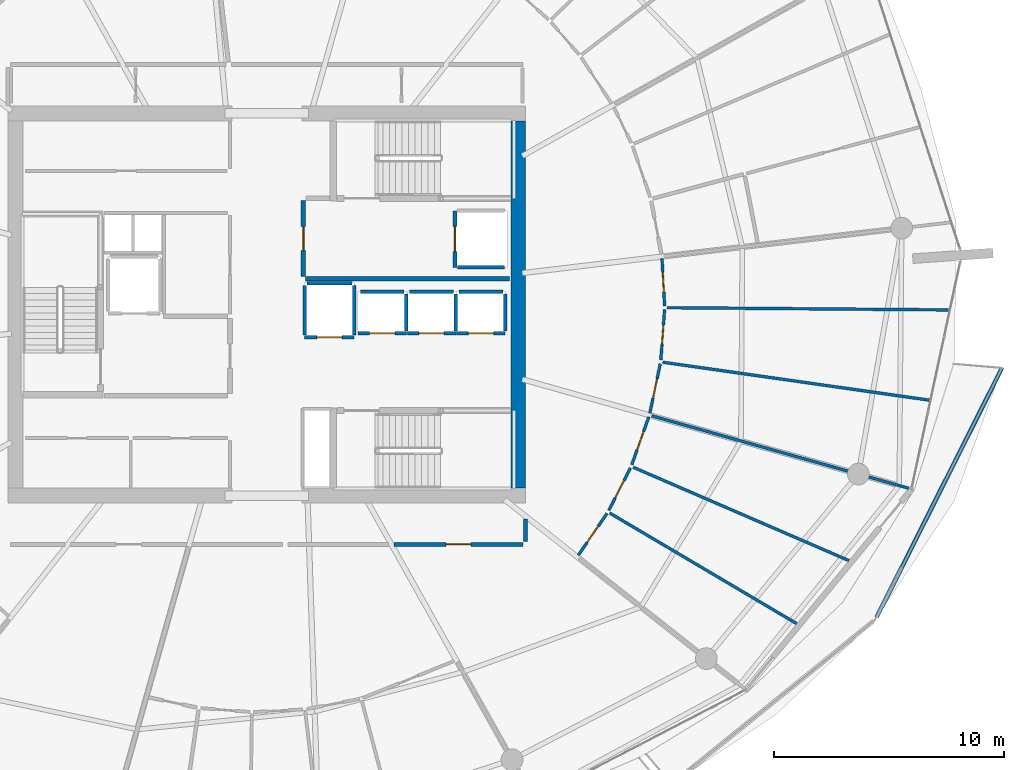
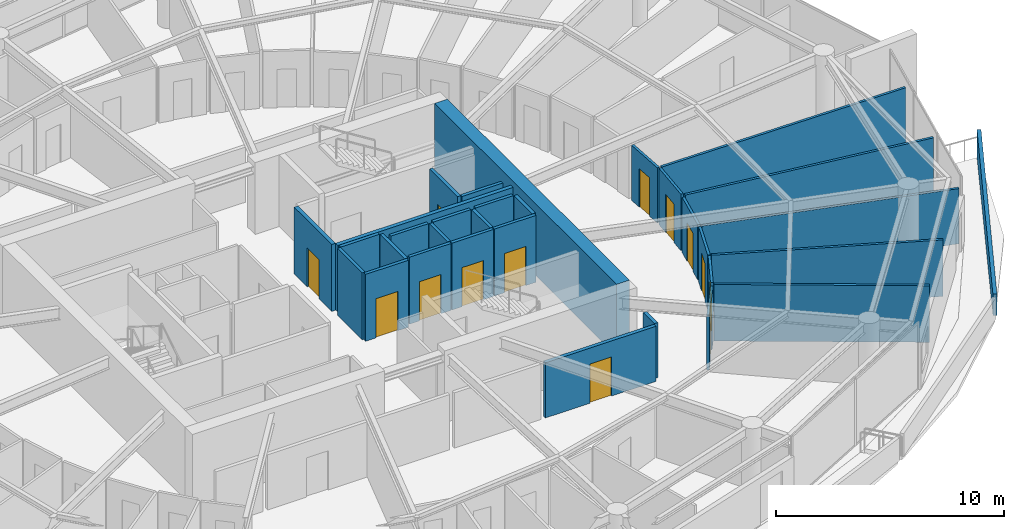
# One storey, part 20 of 30: 32 walls, 13 doors, 13 openings.
"""IFC4 building model written with IfcOpenShell, lengths in metres."""

from ifc_helpers import new_model, si_unit, direction, frame, frame_2d, origin, place, context, subcontext, project, spatial, polyline, rectangle, outline, extrude, material, layer, layer_set, type_object, element, fill, save


model = new_model("IFC4")

# Units and contexts
model_context = context("Model", 3, precision=1e-05, world=origin(), true_north=direction((0.0, 1.0)))
body_context = subcontext(model_context, "Body", "Model", "MODEL_VIEW")
ifc_project = project(units=[si_unit("LENGTHUNIT", "METRE"), si_unit("AREAUNIT", "SQUARE_METRE"), si_unit("VOLUMEUNIT", "CUBIC_METRE"), si_unit("PLANEANGLEUNIT", "RADIAN"), si_unit("MASSUNIT", "GRAM", prefix="KILO")], contexts=[model_context])

# Site, building, storey
site_placement = place(None, origin())
site = spatial("IfcSite", under=ifc_project, at=site_placement, CompositionType="ELEMENT")
building_placement = place(site_placement, origin())
building = spatial("IfcBuilding", under=site, at=building_placement, Name="Kazma Halo Residences", CompositionType="ELEMENT")
storey_placement = place(building_placement, frame((0.0, 0.0, 267.5)))
storey = spatial("IfcBuildingStorey", under=building, at=storey_placement, Name="L67", CompositionType="ELEMENT", Elevation=267.5)

# Walls
ifc_material_1 = material(Name="White Concrete C50/60 Balustrade", Category="concrete")
ifc_layer_1 = layer(ifc_material_1, 0.179931640625)
ifc_layer_set_1 = layer_set([ifc_layer_1], Name="White Concrete C50/60 Balustrade")
wall_type_1 = type_object("IfcWallType", Name="WL-BAL-WAVE-180", PredefinedType="PARAPET", material=ifc_layer_set_1)
wall_1_placement = place(storey_placement, frame((74.99072265625, 28.382080078125, 0.0), z_axis=(0.0, 0.0, 1.0), x_axis=(0.449276289184, 0.893392867655, 0.0)))
element("IfcWall", 1, at=wall_1_placement, inside=storey, type_object=wall_type_1, Name="L67 white wave balustrade wall SE.2", PredefinedType="PARAPET", context=body_context, shape_type="SweptSolid", body=[
    extrude(outline(polyline([(0.0, 0.0), (12.160400390625, 0.0), (12.160400390625, 1.48291015625), (6.080078125, 1.283935546875), (0.0, 1.14794921875), (0.0, 0.0)])), frame((0.0, 0.08984375, 0.0), z_axis=(0.0, -1.0, 0.0), x_axis=(1.0, 0.0, 0.0)), (0.0, 0.0, 1.0), 0.179931640625),
])
ifc_material_2 = material(Name="Concrete C60/75", Category="concrete")
ifc_layer_2 = layer(ifc_material_2, 0.64990234375)
ifc_layer_set_2 = layer_set([ifc_layer_2], Name="Concrete C60/75")
wall_type_2 = type_object("IfcWallType", Name="WL-CORE-650", PredefinedType="SHEAR", material=ifc_layer_set_2)
wall_2_placement = place(storey_placement, frame((59.375, 34.0, 0.0), z_axis=(0.0, 0.0, 1.0), x_axis=(0.0, 1.0, 0.0)))
element("IfcWall", 2, at=wall_2_placement, inside=storey, type_object=wall_type_2, Name="L67 central core shear wall E", PredefinedType="SHEAR", context=body_context, shape_type="SweptSolid", body=[
    extrude(rectangle(XDim=16.0, YDim=0.64990234375, at=frame_2d((8.0, 0.0))), origin(), (0.0, 0.0, 1.0), 3.85009765625),
])

# Wall, opening, door
ifc_material_3 = material(Name="Acoustic Twin-Stud Gypsum")
ifc_layer_3 = layer(ifc_material_3, 0.179931640625)
ifc_layer_set_3 = layer_set([ifc_layer_3], Name="Acoustic Twin-Stud Gypsum")
wall_type_3 = type_object("IfcWallType", Name="WL-DEM-180", PredefinedType="PARTITIONING", material=ifc_layer_set_3)
wall_3_placement = place(storey_placement, frame((53.972412109375, 31.550048828125, 0.0), z_axis=(0.0, 0.0, 1.0), x_axis=(1.0, 0.0, 0.0)))
wall_3 = element("IfcWall", 3, at=wall_3_placement, inside=storey, type_object=wall_type_3, Name="L67 Apartment 2 entrance corridor wall", PredefinedType="PARTITIONING", context=body_context, shape_type="SweptSolid", body=[
    extrude(rectangle(XDim=5.607666015625, YDim=0.179931640625, at=frame_2d((2.8037109375, 0.0))), origin(), (0.0, 0.0, 1.0), 2.95703125),
])
opening_1_placement = place(wall_3_placement, frame((2.25390625, 0.0, 0.0)))
opening_1 = element("IfcOpeningElement", 4, at=opening_1_placement, cuts=wall_3, Name="Opening DA-1100", PredefinedType="OPENING", context=body_context, shape_type="SweptSolid", body=[
    extrude(rectangle(XDim=1.10009765625, YDim=2.10009765625, at=frame_2d((0.550048828125, 1.050048828125))), frame((0.0, 0.099853515625, 0.0), z_axis=(0.0, -1.0, 0.0), x_axis=(1.0, 0.0, 0.0)), (0.0, 0.0, 1.0), 0.199951171875),
])
ifc_material_4 = material(Name="Acoustic Walnut Fire Leaf")
door_type_1 = type_object("IfcDoorType", Name="DR-FD60-1100", OperationType="NOTDEFINED", PredefinedType="DOOR", material=ifc_material_4)
door_1_placement = place(opening_1_placement, origin())
door_1 = element("IfcDoor", 5, at=door_1_placement, inside=storey, type_object=door_type_1, Name="L67 Apartment 2 entrance fire door", OperationType="SINGLE_SWING_RIGHT", OverallHeight=2.10009765625, OverallWidth=1.10009765625, PredefinedType="DOOR", context=body_context, shape_type="SweptSolid", body=[
    extrude(rectangle(XDim=1.10009765625, YDim=2.10009765625, at=frame_2d((0.550048828125, 1.050048828125))), frame((0.0, 0.02490234375, 0.0), z_axis=(0.0, -1.0, 0.0), x_axis=(1.0, 0.0, 0.0)), (0.0, 0.0, 1.0), 0.050048828125),
])
fill(opening_1, door_1)

# Wall
wall_4_placement = place(storey_placement, frame((59.699951171875, 31.669921875, 0.0), z_axis=(0.0, 0.0, 1.0), x_axis=(0.0, 1.0, 0.0)))
element("IfcWall", 6, at=wall_4_placement, inside=storey, type_object=wall_type_3, Name="L67 Apartment 2 entrance corridor wall", PredefinedType="PARTITIONING", context=body_context, shape_type="SweptSolid", body=[
    extrude(rectangle(XDim=0.986572265625, YDim=0.179931640625, at=frame_2d((0.4931640625, 0.0))), origin(), (0.0, 0.0, 1.0), 2.95703125),
])

# Wall, opening, door
ifc_material_5 = material(Name="Fire-Rated Blockwork Masonry", Category="masonry")
ifc_layer_4 = layer(ifc_material_5, 0.199951171875)
ifc_layer_set_4 = layer_set([ifc_layer_4], Name="Fire-Rated Blockwork Masonry")
wall_type_4 = type_object("IfcWallType", Name="WL-FLB-200", PredefinedType="PARTITIONING", material=ifc_layer_set_4)
wall_5_placement = place(storey_placement, frame((54.5048828125, 40.7451171875, 0.0), z_axis=(0.0, 0.0, 1.0), x_axis=(-1.0, 0.0, 0.0)))
wall_5 = element("IfcWall", 7, at=wall_5_placement, inside=storey, type_object=wall_type_4, Name="L67 lift shaft PH-01 front wall", PredefinedType="PARTITIONING", context=body_context, shape_type="SweptSolid", body=[
    extrude(rectangle(XDim=2.10986328125, YDim=0.159912109375, at=frame_2d((1.054931640625, 0.0))), origin(), (0.0, 0.0, 1.0), 3.590087890625),
])
opening_2_placement = place(wall_5_placement, frame((0.5048828125, 0.0, 0.0)))
opening_2 = element("IfcOpeningElement", 8, at=opening_2_placement, cuts=wall_5, Name="Opening LD-PH-01", PredefinedType="OPENING", context=body_context, shape_type="SweptSolid", body=[
    extrude(rectangle(XDim=1.10009765625, YDim=2.10009765625, at=frame_2d((0.550048828125, 1.050048828125))), frame((0.0, 0.08984375, 0.0), z_axis=(0.0, -1.0, 0.0), x_axis=(1.0, 0.0, 0.0)), (0.0, 0.0, 1.0), 0.179931640625),
])
ifc_material_6 = material(Name="Stainless Steel Fire-Rated", Category="steel")
door_type_2 = type_object("IfcDoorType", Name="DR-LIFT-SLD-1100", OperationType="DOUBLE_DOOR_SLIDING", PredefinedType="DOOR", material=ifc_material_6)
door_2_placement = place(opening_2_placement, origin())
door_2 = element("IfcDoor", 9, at=door_2_placement, inside=storey, type_object=door_type_2, Name="L67 lift PH-01 sliding landing door", OperationType="DOUBLE_DOOR_SLIDING", OverallHeight=2.10009765625, OverallWidth=1.10009765625, PredefinedType="DOOR", context=body_context, shape_type="SweptSolid", body=[
    extrude(rectangle(XDim=1.10009765625, YDim=2.10009765625, at=frame_2d((0.550048828125, 1.050048828125))), frame((0.0, 0.02490234375, 0.0), z_axis=(0.0, -1.0, 0.0), x_axis=(1.0, 0.0, 0.0)), (0.0, 0.0, 1.0), 0.050048828125),
])
fill(opening_2, door_2)

# Walls
wall_6_placement = place(storey_placement, frame((54.5048828125, 40.844970703125, 0.0), z_axis=(0.0, 0.0, 1.0), x_axis=(0.0, 1.0, 0.0)))
element("IfcWall", 10, at=wall_6_placement, inside=storey, type_object=wall_type_4, Name="L67 lift shaft PH-01 side wall E", PredefinedType="PARTITIONING", context=body_context, shape_type="SweptSolid", body=[
    extrude(rectangle(XDim=1.610107421875, YDim=0.159912109375, at=frame_2d((0.80517578125, 0.0))), origin(), (0.0, 0.0, 1.0), 3.590087890625),
])
wall_7_placement = place(storey_placement, frame((52.4951171875, 42.554931640625, 0.0), z_axis=(0.0, 0.0, 1.0), x_axis=(1.0, 0.0, 0.0)))
element("IfcWall", 11, at=wall_7_placement, inside=storey, type_object=wall_type_4, Name="L67 lift shaft PH-01 side wall N", PredefinedType="PARTITIONING", context=body_context, shape_type="SweptSolid", body=[
    extrude(rectangle(XDim=1.909912109375, YDim=0.159912109375, at=frame_2d((0.955078125, 0.0))), origin(), (0.0, 0.0, 1.0), 3.590087890625),
])

# Wall, opening, door
wall_8_placement = place(storey_placement, frame((56.655029296875, 40.7451171875, 0.0), z_axis=(0.0, 0.0, 1.0), x_axis=(-1.0, 0.0, 0.0)))
wall_8 = element("IfcWall", 12, at=wall_8_placement, inside=storey, type_object=wall_type_4, Name="L67 lift shaft PH-02 front wall", PredefinedType="PARTITIONING", context=body_context, shape_type="SweptSolid", body=[
    extrude(rectangle(XDim=2.110107421875, YDim=0.159912109375, at=frame_2d((1.05517578125, 0.0))), origin(), (0.0, 0.0, 1.0), 3.590087890625),
])
opening_3_placement = place(wall_8_placement, frame((0.5048828125, 0.0, 0.0)))
opening_3 = element("IfcOpeningElement", 13, at=opening_3_placement, cuts=wall_8, Name="Opening LD-PH-02", PredefinedType="OPENING", context=body_context, shape_type="SweptSolid", body=[
    extrude(rectangle(XDim=1.10009765625, YDim=2.10009765625, at=frame_2d((0.550048828125, 1.050048828125))), frame((0.0, 0.08984375, 0.0), z_axis=(0.0, -1.0, 0.0), x_axis=(1.0, 0.0, 0.0)), (0.0, 0.0, 1.0), 0.179931640625),
])
door_3_placement = place(opening_3_placement, origin())
door_3 = element("IfcDoor", 14, at=door_3_placement, inside=storey, type_object=door_type_2, Name="L67 lift PH-02 sliding landing door", OperationType="DOUBLE_DOOR_SLIDING", OverallHeight=2.10009765625, OverallWidth=1.10009765625, PredefinedType="DOOR", context=body_context, shape_type="SweptSolid", body=[
    extrude(rectangle(XDim=1.10009765625, YDim=2.10009765625, at=frame_2d((0.550048828125, 1.050048828125))), frame((0.0, 0.02490234375, 0.0), z_axis=(0.0, -1.0, 0.0), x_axis=(1.0, 0.0, 0.0)), (0.0, 0.0, 1.0), 0.050048828125),
])
fill(opening_3, door_3)

# Walls
wall_9_placement = place(storey_placement, frame((56.655029296875, 40.844970703125, 0.0), z_axis=(0.0, 0.0, 1.0), x_axis=(0.0, 1.0, 0.0)))
element("IfcWall", 15, at=wall_9_placement, inside=storey, type_object=wall_type_4, Name="L67 lift shaft PH-02 side wall E", PredefinedType="PARTITIONING", context=body_context, shape_type="SweptSolid", body=[
    extrude(rectangle(XDim=1.610107421875, YDim=0.159912109375, at=frame_2d((0.80517578125, 0.0))), origin(), (0.0, 0.0, 1.0), 3.590087890625),
])
wall_10_placement = place(storey_placement, frame((54.64501953125, 42.554931640625, 0.0), z_axis=(0.0, 0.0, 1.0), x_axis=(1.0, 0.0, 0.0)))
element("IfcWall", 16, at=wall_10_placement, inside=storey, type_object=wall_type_4, Name="L67 lift shaft PH-02 side wall N", PredefinedType="PARTITIONING", context=body_context, shape_type="SweptSolid", body=[
    extrude(rectangle(XDim=1.909912109375, YDim=0.159912109375, at=frame_2d((0.955078125, 0.0))), origin(), (0.0, 0.0, 1.0), 3.590087890625),
])

# Wall, opening, door
wall_11_placement = place(storey_placement, frame((58.804931640625, 40.7451171875, 0.0), z_axis=(0.0, 0.0, 1.0), x_axis=(-1.0, 0.0, 0.0)))
wall_11 = element("IfcWall", 17, at=wall_11_placement, inside=storey, type_object=wall_type_4, Name="L67 lift shaft PH-03 front wall", PredefinedType="PARTITIONING", context=body_context, shape_type="SweptSolid", body=[
    extrude(rectangle(XDim=2.10986328125, YDim=0.159912109375, at=frame_2d((1.054931640625, 0.0))), origin(), (0.0, 0.0, 1.0), 3.590087890625),
])
opening_4_placement = place(wall_11_placement, frame((0.5048828125, 0.0, 0.0)))
opening_4 = element("IfcOpeningElement", 18, at=opening_4_placement, cuts=wall_11, Name="Opening LD-PH-03", PredefinedType="OPENING", context=body_context, shape_type="SweptSolid", body=[
    extrude(rectangle(XDim=1.10009765625, YDim=2.10009765625, at=frame_2d((0.550048828125, 1.050048828125))), frame((0.0, 0.08984375, 0.0), z_axis=(0.0, -1.0, 0.0), x_axis=(1.0, 0.0, 0.0)), (0.0, 0.0, 1.0), 0.179931640625),
])
door_4_placement = place(opening_4_placement, origin())
door_4 = element("IfcDoor", 19, at=door_4_placement, inside=storey, type_object=door_type_2, Name="L67 lift PH-03 sliding landing door", OperationType="DOUBLE_DOOR_SLIDING", OverallHeight=2.10009765625, OverallWidth=1.10009765625, PredefinedType="DOOR", context=body_context, shape_type="SweptSolid", body=[
    extrude(rectangle(XDim=1.10009765625, YDim=2.10009765625, at=frame_2d((0.550048828125, 1.050048828125))), frame((0.0, 0.02490234375, 0.0), z_axis=(0.0, -1.0, 0.0), x_axis=(1.0, 0.0, 0.0)), (0.0, 0.0, 1.0), 0.050048828125),
])
fill(opening_4, door_4)

# Walls
wall_12_placement = place(storey_placement, frame((58.804931640625, 40.844970703125, 0.0), z_axis=(0.0, 0.0, 1.0), x_axis=(0.0, 1.0, 0.0)))
element("IfcWall", 20, at=wall_12_placement, inside=storey, type_object=wall_type_4, Name="L67 lift shaft PH-03 side wall E", PredefinedType="PARTITIONING", context=body_context, shape_type="SweptSolid", body=[
    extrude(rectangle(XDim=1.610107421875, YDim=0.159912109375, at=frame_2d((0.80517578125, 0.0))), origin(), (0.0, 0.0, 1.0), 3.590087890625),
])
wall_13_placement = place(storey_placement, frame((56.794921875, 42.554931640625, 0.0), z_axis=(0.0, 0.0, 1.0), x_axis=(1.0, 0.0, 0.0)))
element("IfcWall", 21, at=wall_13_placement, inside=storey, type_object=wall_type_4, Name="L67 lift shaft PH-03 side wall N", PredefinedType="PARTITIONING", context=body_context, shape_type="SweptSolid", body=[
    extrude(rectangle(XDim=1.91015625, YDim=0.159912109375, at=frame_2d((0.955078125, 0.0))), origin(), (0.0, 0.0, 1.0), 3.590087890625),
])

# Wall, opening, door
wall_14_placement = place(storey_placement, frame((56.6201171875, 46.080078125, 0.0), z_axis=(0.0, 0.0, 1.0), x_axis=(0.0, -1.0, 0.0)))
wall_14 = element("IfcWall", 22, at=wall_14_placement, inside=storey, type_object=wall_type_4, Name="L67 lift shaft FL-02 front wall", PredefinedType="PARTITIONING", context=body_context, shape_type="SweptSolid", body=[
    extrude(rectangle(XDim=2.4599609375, YDim=0.159912109375, at=frame_2d((1.22998046875, 0.0))), origin(), (0.0, 0.0, 1.0), 3.590087890625),
])
opening_5_placement = place(wall_14_placement, frame((0.679931640625, 0.0, 0.0)))
opening_5 = element("IfcOpeningElement", 23, at=opening_5_placement, cuts=wall_14, Name="Opening LD-FL-02", PredefinedType="OPENING", context=body_context, shape_type="SweptSolid", body=[
    extrude(rectangle(XDim=1.10009765625, YDim=2.10009765625, at=frame_2d((0.550048828125, 1.050048828125))), frame((0.0, 0.08984375, 0.0), z_axis=(0.0, -1.0, 0.0), x_axis=(1.0, 0.0, 0.0)), (0.0, 0.0, 1.0), 0.179931640625),
])
door_5_placement = place(opening_5_placement, origin())
door_5 = element("IfcDoor", 24, at=door_5_placement, inside=storey, type_object=door_type_2, Name="L67 lift FL-02 sliding landing door", OperationType="DOUBLE_DOOR_SLIDING", OverallHeight=2.10009765625, OverallWidth=1.10009765625, PredefinedType="DOOR", context=body_context, shape_type="SweptSolid", body=[
    extrude(rectangle(XDim=1.10009765625, YDim=2.10009765625, at=frame_2d((0.550048828125, 1.050048828125))), frame((0.0, 0.02490234375, 0.0), z_axis=(0.0, -1.0, 0.0), x_axis=(1.0, 0.0, 0.0)), (0.0, 0.0, 1.0), 0.050048828125),
])
fill(opening_5, door_5)

# Wall
wall_15_placement = place(storey_placement, frame((56.719970703125, 43.6201171875, 0.0), z_axis=(0.0, 0.0, 1.0), x_axis=(1.0, 0.0, 0.0)))
element("IfcWall", 25, at=wall_15_placement, inside=storey, type_object=wall_type_4, Name="L67 lift shaft FL-02 side wall S", PredefinedType="PARTITIONING", context=body_context, shape_type="SweptSolid", body=[
    extrude(rectangle(XDim=2.06005859375, YDim=0.159912109375, at=frame_2d((1.030029296875, 0.0))), origin(), (0.0, 0.0, 1.0), 3.590087890625),
])

# Wall, opening, door
wall_16_placement = place(storey_placement, frame((52.22998046875, 40.570068359375, 0.0), z_axis=(0.0, 0.0, 1.0), x_axis=(-1.0, 0.0, 0.0)))
wall_16 = element("IfcWall", 26, at=wall_16_placement, inside=storey, type_object=wall_type_4, Name="L67 lift shaft SV-01 front wall", PredefinedType="PARTITIONING", context=body_context, shape_type="SweptSolid", body=[
    extrude(rectangle(XDim=2.159912109375, YDim=0.159912109375, at=frame_2d((1.080078125, 0.0))), origin(), (0.0, 0.0, 1.0), 3.590087890625),
])
opening_6_placement = place(wall_16_placement, frame((0.530029296875, 0.0, 0.0)))
opening_6 = element("IfcOpeningElement", 27, at=opening_6_placement, cuts=wall_16, Name="Opening LD-SV-01", PredefinedType="OPENING", context=body_context, shape_type="SweptSolid", body=[
    extrude(rectangle(XDim=1.10009765625, YDim=2.10009765625, at=frame_2d((0.550048828125, 1.050048828125))), frame((0.0, 0.08984375, 0.0), z_axis=(0.0, -1.0, 0.0), x_axis=(1.0, 0.0, 0.0)), (0.0, 0.0, 1.0), 0.179931640625),
])
door_6_placement = place(opening_6_placement, origin())
door_6 = element("IfcDoor", 28, at=door_6_placement, inside=storey, type_object=door_type_2, Name="L67 lift SV-01 sliding landing door", OperationType="DOUBLE_DOOR_SLIDING", OverallHeight=2.10009765625, OverallWidth=1.10009765625, PredefinedType="DOOR", context=body_context, shape_type="SweptSolid", body=[
    extrude(rectangle(XDim=1.10009765625, YDim=2.10009765625, at=frame_2d((0.550048828125, 1.050048828125))), frame((0.0, 0.02490234375, 0.0), z_axis=(0.0, -1.0, 0.0), x_axis=(1.0, 0.0, 0.0)), (0.0, 0.0, 1.0), 0.050048828125),
])
fill(opening_6, door_6)

# Walls
for number, where, z_axis, x_axis, name in (
    (29, (52.22998046875, 40.669921875, 0.0), (0.0, 0.0, 1.0), (0.0, 1.0, 0.0), "L67 lift shaft SV-01 side wall E"),
    (30, (50.070068359375, 40.669921875, 0.0), (0.0, 0.0, 1.0), (0.0, 1.0, 0.0), "L67 lift shaft SV-01 side wall W"),
):
    element("IfcWall", number, at=place(storey_placement, frame(where, z_axis=z_axis, x_axis=x_axis)), inside=storey, type_object=wall_type_4, Name=name, PredefinedType="PARTITIONING", context=body_context, shape_type="SweptSolid", body=[
        extrude(rectangle(XDim=2.16015625, YDim=0.159912109375, at=frame_2d((1.080078125, 0.0))), origin(), (0.0, 0.0, 1.0), 3.590087890625),
    ])
wall_17_placement = place(storey_placement, frame((50.169921875, 42.929931640625, 0.0), z_axis=(0.0, 0.0, 1.0), x_axis=(1.0, 0.0, 0.0)))
element("IfcWall", 31, at=wall_17_placement, inside=storey, type_object=wall_type_4, Name="L67 lift shaft SV-01 side wall N", PredefinedType="PARTITIONING", context=body_context, shape_type="SweptSolid", body=[
    extrude(rectangle(XDim=1.9599609375, YDim=0.159912109375, at=frame_2d((0.97998046875, 0.0))), origin(), (0.0, 0.0, 1.0), 3.590087890625),
])
wall_18_placement = place(storey_placement, frame((50.1201171875, 43.1201171875, 0.0), z_axis=(0.0, 0.0, 1.0), x_axis=(1.0, 0.0, 0.0)))
element("IfcWall", 32, at=wall_18_placement, inside=storey, type_object=wall_type_4, Name="L67 east firefighting lobby south smoke wall", PredefinedType="PARTITIONING", context=body_context, shape_type="SweptSolid", body=[
    extrude(rectangle(XDim=8.8798828125, YDim=0.199951171875, at=frame_2d((4.43994140625, 0.0))), origin(), (0.0, 0.0, 1.0), 3.590087890625),
])

# Wall, opening, door
wall_19_placement = place(storey_placement, frame((50.02001953125, 43.219970703125, 0.0), z_axis=(0.0, 0.0, 1.0), x_axis=(0.0, 1.0, 0.0)))
wall_19 = element("IfcWall", 33, at=wall_19_placement, inside=storey, type_object=wall_type_4, Name="L67 east firefighting lobby smoke wall", PredefinedType="PARTITIONING", context=body_context, shape_type="SweptSolid", body=[
    extrude(rectangle(XDim=3.300048828125, YDim=0.199951171875, at=frame_2d((1.64990234375, 0.0))), origin(), (0.0, 0.0, 1.0), 3.590087890625),
])
opening_7_placement = place(wall_19_placement, frame((1.125, 0.0, 0.0)))
opening_7 = element("IfcOpeningElement", 34, at=opening_7_placement, cuts=wall_19, Name="Opening D-FLE", PredefinedType="OPENING", context=body_context, shape_type="SweptSolid", body=[
    extrude(rectangle(XDim=1.050048828125, YDim=2.10009765625, at=frame_2d((0.52490234375, 1.050048828125))), frame((0.0, 0.10986328125, 0.0), z_axis=(0.0, -1.0, 0.0), x_axis=(1.0, 0.0, 0.0)), (0.0, 0.0, 1.0), 0.219970703125),
])
ifc_material_7 = material(Name="Fire-Rated Steel Leaf", Category="steel")
door_type_3 = type_object("IfcDoorType", Name="DR-FD90-1050", OperationType="NOTDEFINED", PredefinedType="DOOR", material=ifc_material_7)
door_7_placement = place(opening_7_placement, origin())
door_7 = element("IfcDoor", 35, at=door_7_placement, inside=storey, type_object=door_type_3, Name="L67 east firefighting lobby smoke door", OperationType="SINGLE_SWING_LEFT", OverallHeight=2.10009765625, OverallWidth=1.050048828125, PredefinedType="DOOR", context=body_context, shape_type="SweptSolid", body=[
    extrude(rectangle(XDim=1.050048828125, YDim=2.10009765625, at=frame_2d((0.52490234375, 1.050048828125))), frame((0.0, 0.02490234375, 0.0), z_axis=(0.0, -1.0, 0.0), x_axis=(1.0, 0.0, 0.0)), (0.0, 0.0, 1.0), 0.050048828125),
])
fill(opening_7, door_7)

# Walls
ifc_material_8 = material(Name="Gypsum Plasterboard Partition")
ifc_layer_5 = layer(ifc_material_8, 0.125)
ifc_layer_set_5 = layer_set([ifc_layer_5], Name="Gypsum Plasterboard Partition")
wall_type_5 = type_object("IfcWallType", Name="WL-PART-125", PredefinedType="PARTITIONING", material=ifc_layer_set_5)
wall_20_placement = place(storey_placement, frame((63.36181640625, 32.915283203125, 0.0), z_axis=(0.0, 0.0, 1.0), x_axis=(0.860726173163, -0.509068222178, 0.0)))
element("IfcWall", 36, at=wall_20_placement, inside=storey, type_object=wall_type_5, Name="L67 Apartment 2 bay wall 1 13", PredefinedType="PARTITIONING", context=body_context, shape_type="SweptSolid", body=[
    extrude(rectangle(XDim=9.464111328125, YDim=0.125, at=frame_2d((4.73193359375, 0.0))), origin(), (0.0, 0.0, 1.0), 3.030029296875),
])
wall_21_placement = place(storey_placement, frame((64.379150390625, 34.912109375, 0.0), z_axis=(0.0, 0.0, 1.0), x_axis=(0.917754922423, -0.397147204912, 0.0)))
element("IfcWall", 37, at=wall_21_placement, inside=storey, type_object=wall_type_5, Name="L67 Apartment 2 bay wall 2 13", PredefinedType="PARTITIONING", context=body_context, shape_type="SweptSolid", body=[
    extrude(rectangle(XDim=10.243408203125, YDim=0.125, at=frame_2d((5.12158203125, 0.0))), origin(), (0.0, 0.0, 1.0), 3.030029296875),
])

# Wall, opening, door
wall_22_placement = place(storey_placement, frame((61.989990234375, 31.07275390625, 0.0), z_axis=(0.0, 0.0, 1.0), x_axis=(0.565365127096, 0.824840756185, 0.0)))
wall_22 = element("IfcWall", 38, at=wall_22_placement, inside=storey, type_object=wall_type_5, Name="L67 Apartment 2 North Bedroom hall wall", PredefinedType="PARTITIONING", context=body_context, shape_type="SweptSolid", body=[
    extrude(rectangle(XDim=2.209228515625, YDim=0.125, at=frame_2d((1.1044921875, 0.0))), origin(), (0.0, 0.0, 1.0), 2.95703125),
])
opening_8_placement = place(wall_22_placement, frame((0.6796875, 0.0, 0.0)))
opening_8 = element("IfcOpeningElement", 39, at=opening_8_placement, cuts=wall_22, Name="Opening DB-900", PredefinedType="OPENING", context=body_context, shape_type="SweptSolid", body=[
    extrude(rectangle(XDim=0.85009765625, YDim=2.06005859375, at=frame_2d((0.425048828125, 1.030029296875))), frame((0.0, 0.072509765625, 0.0), z_axis=(0.0, -1.0, 0.0), x_axis=(1.0, 0.0, 0.0)), (0.0, 0.0, 1.0), 0.14501953125),
])
ifc_material_9 = material(Name="Moisture-Sealed Timber Leaf", Category="wood")
door_type_4 = type_object("IfcDoorType", Name="DR-BTH-900", OperationType="NOTDEFINED", PredefinedType="DOOR", material=ifc_material_9)
door_8_placement = place(opening_8_placement, origin())
door_8 = element("IfcDoor", 40, at=door_8_placement, inside=storey, type_object=door_type_4, Name="L67 Apartment 2 North Bedroom door", OperationType="SINGLE_SWING_RIGHT", OverallHeight=2.06005859375, OverallWidth=0.85009765625, PredefinedType="DOOR", context=body_context, shape_type="SweptSolid", body=[
    extrude(rectangle(XDim=0.85009765625, YDim=2.06005859375, at=frame_2d((0.425048828125, 1.030029296875))), frame((0.0, 0.02490234375, 0.0), z_axis=(0.0, -1.0, 0.0), x_axis=(1.0, 0.0, 0.0)), (0.0, 0.0, 1.0), 0.050048828125),
])
fill(opening_8, door_8)

wall_23_placement = place(storey_placement, frame((63.320556640625, 33.0322265625, 0.0), z_axis=(0.0, 0.0, 1.0), x_axis=(0.453994690579, 0.891004388837, 0.0)))
wall_23 = element("IfcWall", 41, at=wall_23_placement, inside=storey, type_object=wall_type_5, Name="L67 Apartment 2 South Laundry Room hall wall", PredefinedType="PARTITIONING", context=body_context, shape_type="SweptSolid", body=[
    extrude(rectangle(XDim=2.06982421875, YDim=0.125, at=frame_2d((1.034912109375, 0.0))), origin(), (0.0, 0.0, 1.0), 3.030029296875),
])
opening_9_placement = place(wall_23_placement, frame((0.60986328125, 0.0, 0.0)))
opening_9 = element("IfcOpeningElement", 42, at=opening_9_placement, cuts=wall_23, Name="Opening DB-900", PredefinedType="OPENING", context=body_context, shape_type="SweptSolid", body=[
    extrude(rectangle(XDim=0.85009765625, YDim=2.06005859375, at=frame_2d((0.425048828125, 1.030029296875))), frame((0.0, 0.072509765625, 0.0), z_axis=(0.0, -1.0, 0.0), x_axis=(1.0, 0.0, 0.0)), (0.0, 0.0, 1.0), 0.14501953125),
])
door_9_placement = place(opening_9_placement, origin())
door_9 = element("IfcDoor", 43, at=door_9_placement, inside=storey, type_object=door_type_4, Name="L67 Apartment 2 South Laundry Room door", OperationType="SINGLE_SWING_LEFT", OverallHeight=2.06005859375, OverallWidth=0.85009765625, PredefinedType="DOOR", context=body_context, shape_type="SweptSolid", body=[
    extrude(rectangle(XDim=0.85009765625, YDim=2.06005859375, at=frame_2d((0.425048828125, 1.030029296875))), frame((0.0, 0.02490234375, 0.0), z_axis=(0.0, -1.0, 0.0), x_axis=(1.0, 0.0, 0.0)), (0.0, 0.0, 1.0), 0.050048828125),
])
fill(opening_9, door_9)

wall_24_placement = place(storey_placement, frame((64.323486328125, 35.023193359375, 0.0), z_axis=(0.0, 0.0, 1.0), x_axis=(0.334998765423, 0.942218566557, 0.0)))
wall_24 = element("IfcWall", 44, at=wall_24_placement, inside=storey, type_object=wall_type_5, Name="L67 Apartment 2 Inner Bedroom hall wall", PredefinedType="PARTITIONING", context=body_context, shape_type="SweptSolid", body=[
    extrude(rectangle(XDim=2.208984375, YDim=0.125, at=frame_2d((1.1044921875, 0.0))), origin(), (0.0, 0.0, 1.0), 2.95703125),
])
opening_10_placement = place(wall_24_placement, frame((0.679443359375, 0.0, 0.0)))
opening_10 = element("IfcOpeningElement", 45, at=opening_10_placement, cuts=wall_24, Name="Opening DB-900", PredefinedType="OPENING", context=body_context, shape_type="SweptSolid", body=[
    extrude(rectangle(XDim=0.85009765625, YDim=2.06005859375, at=frame_2d((0.425048828125, 1.030029296875))), frame((0.0, 0.072509765625, 0.0), z_axis=(0.0, -1.0, 0.0), x_axis=(1.0, 0.0, 0.0)), (0.0, 0.0, 1.0), 0.14501953125),
])
door_10_placement = place(opening_10_placement, origin())
door_10 = element("IfcDoor", 46, at=door_10_placement, inside=storey, type_object=door_type_4, Name="L67 Apartment 2 Inner Bedroom door", OperationType="SINGLE_SWING_RIGHT", OverallHeight=2.06005859375, OverallWidth=0.85009765625, PredefinedType="DOOR", context=body_context, shape_type="SweptSolid", body=[
    extrude(rectangle(XDim=0.85009765625, YDim=2.06005859375, at=frame_2d((0.425048828125, 1.030029296875))), frame((0.0, 0.02490234375, 0.0), z_axis=(0.0, -1.0, 0.0), x_axis=(1.0, 0.0, 0.0)), (0.0, 0.0, 1.0), 0.050048828125),
])
fill(opening_10, door_10)

# Walls
wall_25_placement = place(storey_placement, frame((65.1865234375, 37.15283203125, 0.0), z_axis=(0.0, 0.0, 1.0), x_axis=(0.962455577867, -0.271439239301, 0.0)))
element("IfcWall", 47, at=wall_25_placement, inside=storey, type_object=wall_type_5, Name="L67 Apartment 2 radial partition 14", PredefinedType="PARTITIONING", context=body_context, shape_type="SweptSolid", body=[
    extrude(rectangle(XDim=11.638671875, YDim=0.125, at=frame_2d((5.8193359375, 0.0))), origin(), (0.0, 0.0, 1.0), 2.95703125),
])
wall_26_placement = place(storey_placement, frame((65.6689453125, 39.4853515625, 0.0), z_axis=(0.0, 0.0, 1.0), x_axis=(0.990022432034, -0.140909843761, 0.0)))
element("IfcWall", 48, at=wall_26_placement, inside=storey, type_object=wall_type_5, Name="L67 Apartment 2 bay wall 1 14", PredefinedType="PARTITIONING", context=body_context, shape_type="SweptSolid", body=[
    extrude(rectangle(XDim=11.760986328125, YDim=0.125, at=frame_2d((5.88037109375, 0.0))), origin(), (0.0, 0.0, 1.0), 3.030029296875),
])
wall_27_placement = place(storey_placement, frame((65.846435546875, 41.85986328125, 0.0), z_axis=(0.0, 0.0, 1.0), x_axis=(0.999969162233, -0.007853316706, 0.0)))
element("IfcWall", 49, at=wall_27_placement, inside=storey, type_object=wall_type_5, Name="L67 Apartment 2 bay wall 2 14", PredefinedType="PARTITIONING", context=body_context, shape_type="SweptSolid", body=[
    extrude(rectangle(XDim=12.310791015625, YDim=0.125, at=frame_2d((6.1552734375, 0.0))), origin(), (0.0, 0.0, 1.0), 3.030029296875),
])

# Wall, opening, door
wall_28_placement = place(storey_placement, frame((65.106689453125, 37.25830078125, 0.0), z_axis=(0.0, 0.0, 1.0), x_axis=(0.20677346991, 0.978388845062, 0.0)))
wall_28 = element("IfcWall", 50, at=wall_28_placement, inside=storey, type_object=wall_type_5, Name="L67 Apartment 2 Outer Master Bedroom hall wall", PredefinedType="PARTITIONING", context=body_context, shape_type="SweptSolid", body=[
    extrude(rectangle(XDim=2.209228515625, YDim=0.125, at=frame_2d((1.1044921875, 0.0))), origin(), (0.0, 0.0, 1.0), 2.95703125),
])
opening_11_placement = place(wall_28_placement, frame((0.6796875, 0.0, 0.0)))
opening_11 = element("IfcOpeningElement", 51, at=opening_11_placement, cuts=wall_28, Name="Opening DB-900", PredefinedType="OPENING", context=body_context, shape_type="SweptSolid", body=[
    extrude(rectangle(XDim=0.85009765625, YDim=2.06005859375, at=frame_2d((0.425048828125, 1.030029296875))), frame((0.0, 0.072509765625, 0.0), z_axis=(0.0, -1.0, 0.0), x_axis=(1.0, 0.0, 0.0)), (0.0, 0.0, 1.0), 0.14501953125),
])
door_11_placement = place(opening_11_placement, origin())
door_11 = element("IfcDoor", 52, at=door_11_placement, inside=storey, type_object=door_type_4, Name="L67 Apartment 2 Outer Master Bedroom door", OperationType="SINGLE_SWING_LEFT", OverallHeight=2.06005859375, OverallWidth=0.85009765625, PredefinedType="DOOR", context=body_context, shape_type="SweptSolid", body=[
    extrude(rectangle(XDim=0.85009765625, YDim=2.06005859375, at=frame_2d((0.425048828125, 1.030029296875))), frame((0.0, 0.02490234375, 0.0), z_axis=(0.0, -1.0, 0.0), x_axis=(1.0, 0.0, 0.0)), (0.0, 0.0, 1.0), 0.050048828125),
])
fill(opening_11, door_11)

wall_29_placement = place(storey_placement, frame((65.5859375, 39.577880859375, 0.0), z_axis=(0.0, 0.0, 1.0), x_axis=(0.074490462528, 0.997221726093, 0.0)))
wall_29 = element("IfcWall", 53, at=wall_29_placement, inside=storey, type_object=wall_type_5, Name="L67 Apartment 2 Corner Dressing Wardrobe hall wall", PredefinedType="PARTITIONING", context=body_context, shape_type="SweptSolid", body=[
    extrude(rectangle(XDim=2.208984375, YDim=0.125, at=frame_2d((1.1044921875, 0.0))), origin(), (0.0, 0.0, 1.0), 3.030029296875),
])
opening_12_placement = place(wall_29_placement, frame((0.679443359375, 0.0, 0.0)))
opening_12 = element("IfcOpeningElement", 54, at=opening_12_placement, cuts=wall_29, Name="Opening DB-900", PredefinedType="OPENING", context=body_context, shape_type="SweptSolid", body=[
    extrude(rectangle(XDim=0.85009765625, YDim=2.06005859375, at=frame_2d((0.425048828125, 1.030029296875))), frame((0.0, 0.072509765625, 0.0), z_axis=(0.0, -1.0, 0.0), x_axis=(1.0, 0.0, 0.0)), (0.0, 0.0, 1.0), 0.14501953125),
])
door_12_placement = place(opening_12_placement, origin())
door_12 = element("IfcDoor", 55, at=door_12_placement, inside=storey, type_object=door_type_4, Name="L67 Apartment 2 Corner Dressing Wardrobe door", OperationType="SINGLE_SWING_RIGHT", OverallHeight=2.06005859375, OverallWidth=0.85009765625, PredefinedType="DOOR", context=body_context, shape_type="SweptSolid", body=[
    extrude(rectangle(XDim=0.85009765625, YDim=2.06005859375, at=frame_2d((0.425048828125, 1.030029296875))), frame((0.0, 0.02490234375, 0.0), z_axis=(0.0, -1.0, 0.0), x_axis=(1.0, 0.0, 0.0)), (0.0, 0.0, 1.0), 0.050048828125),
])
fill(opening_12, door_12)

wall_30_placement = place(storey_placement, frame((65.752197265625, 41.9404296875, 0.0), z_axis=(0.0, 0.0, 1.0), x_axis=(-0.055084577693, 0.998481692021, 0.0)))
wall_30 = element("IfcWall", 56, at=wall_30_placement, inside=storey, type_object=wall_type_5, Name="L67 Apartment 2 Garden Master Bedroom hall wall", PredefinedType="PARTITIONING", context=body_context, shape_type="SweptSolid", body=[
    extrude(rectangle(XDim=2.06982421875, YDim=0.125, at=frame_2d((1.034912109375, 0.0))), origin(), (0.0, 0.0, 1.0), 2.95703125),
])
opening_13_placement = place(wall_30_placement, frame((0.610107421875, 0.0, 0.0)))
opening_13 = element("IfcOpeningElement", 57, at=opening_13_placement, cuts=wall_30, Name="Opening DB-900", PredefinedType="OPENING", context=body_context, shape_type="SweptSolid", body=[
    extrude(rectangle(XDim=0.85009765625, YDim=2.06005859375, at=frame_2d((0.425048828125, 1.030029296875))), frame((0.0, 0.072509765625, 0.0), z_axis=(0.0, -1.0, 0.0), x_axis=(1.0, 0.0, 0.0)), (0.0, 0.0, 1.0), 0.14501953125),
])
door_13_placement = place(opening_13_placement, origin())
door_13 = element("IfcDoor", 58, at=door_13_placement, inside=storey, type_object=door_type_4, Name="L67 Apartment 2 Garden Master Bedroom door", OperationType="SINGLE_SWING_LEFT", OverallHeight=2.06005859375, OverallWidth=0.85009765625, PredefinedType="DOOR", context=body_context, shape_type="SweptSolid", body=[
    extrude(rectangle(XDim=0.85009765625, YDim=2.06005859375, at=frame_2d((0.425048828125, 1.030029296875))), frame((0.0, 0.02490234375, 0.0), z_axis=(0.0, -1.0, 0.0), x_axis=(1.0, 0.0, 0.0)), (0.0, 0.0, 1.0), 0.050048828125),
])
fill(opening_13, door_13)

save(model, "model.ifc")
